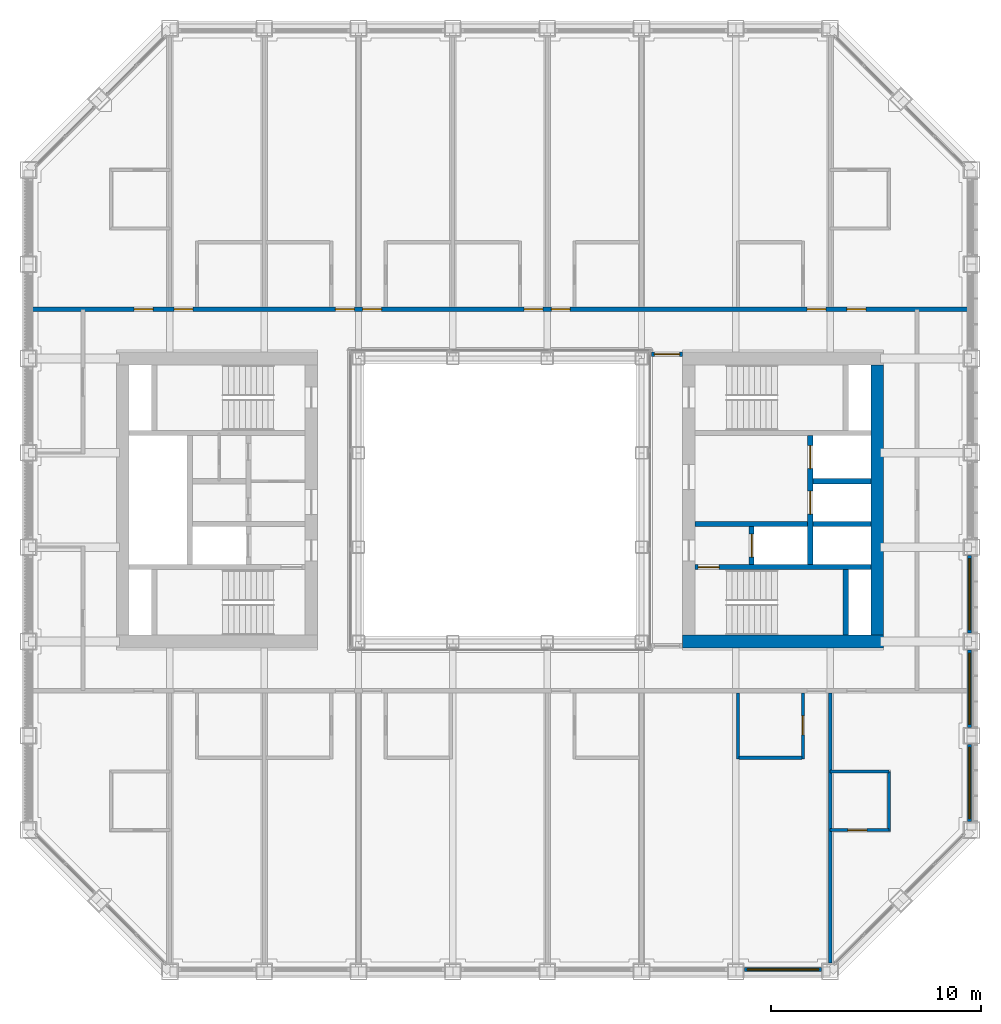
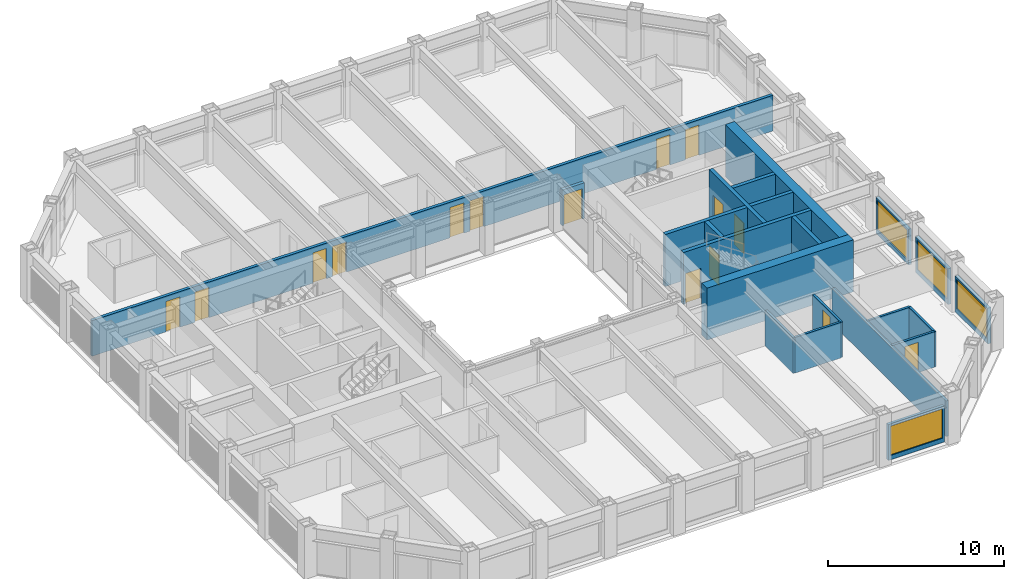
# One storey, part 12 of 17: 22 walls, 15 doors, 4 windows, 19 openings.
"""IFC4 building model written with IfcOpenShell, lengths in metres."""

from ifc_helpers import new_model, si_unit, direction, frame, frame_2d, origin, place, context, subcontext, project, spatial, rectangle, extrude, material, layer, layer_set, type_object, element, fill, save


model = new_model("IFC4")

# Units and contexts
model_context = context("Model", 3, precision=1e-05, world=origin(), true_north=direction((0.0, 1.0)))
body_context = subcontext(model_context, "Body", "Model", "MODEL_VIEW")
ifc_project = project(units=[si_unit("LENGTHUNIT", "METRE"), si_unit("AREAUNIT", "SQUARE_METRE"), si_unit("VOLUMEUNIT", "CUBIC_METRE"), si_unit("PLANEANGLEUNIT", "RADIAN"), si_unit("MASSUNIT", "GRAM", prefix="KILO")], contexts=[model_context])

# Site, building, storey
site_placement = place(None, origin())
site = spatial("IfcSite", under=ifc_project, at=site_placement, CompositionType="ELEMENT")
building_placement = place(site_placement, origin())
building = spatial("IfcBuilding", under=site, at=building_placement, Name="Msasa Ring Tower", CompositionType="ELEMENT")
storey_placement = place(building_placement, frame((0.0, 0.0, 143.60009765625)))
storey = spatial("IfcBuildingStorey", under=building, at=storey_placement, Name="L37", CompositionType="ELEMENT", Elevation=143.60009765625)

# Walls
ifc_material_1 = material(Name="Concrete C60/75", Category="concrete")
ifc_layer_1 = layer(ifc_material_1, 0.60009765625)
ifc_layer_set_1 = layer_set([ifc_layer_1], Name="CW2 CORE WALL 600")
wall_type_1 = type_object("IfcWallType", Name="CW2 CORE WALL 600", PredefinedType="SHEAR", material=ifc_layer_set_1)
wall_1_placement = place(storey_placement, frame((8.699951171875, -6.75, 0.0), z_axis=(0.0, 0.0, 1.0), x_axis=(1.0, 0.0, 0.0)))
element("IfcWall", 1, at=wall_1_placement, inside=storey, type_object=wall_type_1, Name="E core wall S L37", PredefinedType="SHEAR", context=body_context, shape_type="SweptSolid", body=[
    extrude(rectangle(XDim=9.60009765625, YDim=0.60009765625, at=frame_2d((4.800048828125, 0.0))), origin(), (0.0, 0.0, 1.0), 3.599853515625),
])
wall_2_placement = place(storey_placement, frame((18.0, -6.449951171875, 0.0), z_axis=(0.0, 0.0, 1.0), x_axis=(0.0, 1.0, 0.0)))
element("IfcWall", 2, at=wall_2_placement, inside=storey, type_object=wall_type_1, Name="E core wall E L37", PredefinedType="SHEAR", context=body_context, shape_type="SweptSolid", body=[
    extrude(rectangle(XDim=12.89990234375, YDim=0.60009765625, at=frame_2d((6.449951171875, 0.0))), origin(), (0.0, 0.0, 1.0), 3.599853515625),
])

# Wall, opening, door
ifc_material_2 = material(Name="Concrete C60/75", Category="concrete")
ifc_layer_2 = layer(ifc_material_2, 0.25)
ifc_layer_set_2 = layer_set([ifc_layer_2], Name="CW4 CORE INNER WALL 250")
wall_type_2 = type_object("IfcWallType", Name="CW4 CORE INNER WALL 250", PredefinedType="SHEAR", material=ifc_layer_set_2)
wall_3_placement = place(storey_placement, frame((9.300048828125, -3.199951171875, 0.0), z_axis=(0.0, 0.0, 1.0), x_axis=(1.0, 0.0, 0.0)))
wall_3 = element("IfcWall", 3, at=wall_3_placement, inside=storey, type_object=wall_type_2, Name="E core wall STAIRA L37", PredefinedType="SHEAR", context=body_context, shape_type="SweptSolid", body=[
    extrude(rectangle(XDim=8.39990234375, YDim=0.25, at=frame_2d((4.199951171875, 0.0))), origin(), (0.0, 0.0, 1.0), 3.599853515625),
])
opening_1_placement = place(wall_3_placement, frame((0.14990234375, 0.0, 0.0)))
opening_1 = element("IfcOpeningElement", 4, at=opening_1_placement, cuts=wall_3, Name="Opening HC-031", PredefinedType="OPENING", context=body_context, shape_type="SweptSolid", body=[
    extrude(rectangle(XDim=1.0, YDim=2.10009765625, at=frame_2d((0.5, 1.050048828125))), frame((0.0, 0.135009765625, 0.0), z_axis=(0.0, -1.0, 0.0), x_axis=(1.0, 0.0, 0.0)), (0.0, 0.0, 1.0), 0.27001953125),
])
ifc_material_3 = material(Name="Timber door leaf in a steel frame", Category="steel")
door_type_1 = type_object("IfcDoorType", Name="D6 STAIR DOOR 1000x2100", OperationType="SINGLE_SWING_LEFT", PredefinedType="DOOR", material=ifc_material_3)
door_1_placement = place(opening_1_placement, origin())
door_1 = element("IfcDoor", 5, at=door_1_placement, inside=storey, type_object=door_type_1, Name="Door L37-ESTA", OperationType="SINGLE_SWING_LEFT", OverallHeight=2.10009765625, OverallWidth=1.0, PredefinedType="DOOR", context=body_context, shape_type="SweptSolid", body=[
    extrude(rectangle(XDim=1.0, YDim=2.10009765625, at=frame_2d((0.5, 1.050048828125))), frame((0.0, 0.02490234375, 0.0), z_axis=(0.0, -1.0, 0.0), x_axis=(1.0, 0.0, 0.0)), (0.0, 0.0, 1.0), 0.050048828125),
])
fill(opening_1, door_1)

# Walls
wall_4_placement = place(storey_placement, frame((16.5, -6.449951171875, 0.0), z_axis=(0.0, 0.0, 1.0), x_axis=(0.0, 1.0, 0.0)))
element("IfcWall", 6, at=wall_4_placement, inside=storey, type_object=wall_type_2, Name="E core wall RISERA L37", PredefinedType="SHEAR", context=body_context, shape_type="SweptSolid", body=[
    extrude(rectangle(XDim=3.125, YDim=0.25, at=frame_2d((1.5625, 0.0))), origin(), (0.0, 0.0, 1.0), 3.599853515625),
])
wall_5_placement = place(storey_placement, frame((9.300048828125, -1.14990234375, 0.0), z_axis=(0.0, 0.0, 1.0), x_axis=(1.0, 0.0, 0.0)))
element("IfcWall", 7, at=wall_5_placement, inside=storey, type_object=wall_type_2, Name="E core wall FFL L37", PredefinedType="SHEAR", context=body_context, shape_type="SweptSolid", body=[
    extrude(rectangle(XDim=5.375, YDim=0.25, at=frame_2d((2.6875, 0.0))), origin(), (0.0, 0.0, 1.0), 3.599853515625),
])

# Wall, opening, door
wall_6_placement = place(storey_placement, frame((12.0, -3.074951171875, 0.0), z_axis=(0.0, 0.0, 1.0), x_axis=(0.0, 1.0, 0.0)))
wall_6 = element("IfcWall", 8, at=wall_6_placement, inside=storey, type_object=wall_type_2, Name="E core wall LOBBY L37", PredefinedType="SHEAR", context=body_context, shape_type="SweptSolid", body=[
    extrude(rectangle(XDim=1.800048828125, YDim=0.25, at=frame_2d((0.89990234375, 0.0))), origin(), (0.0, 0.0, 1.0), 3.599853515625),
])
opening_2_placement = place(wall_6_placement, frame((0.35009765625, 0.0, 0.0)))
opening_2 = element("IfcOpeningElement", 9, at=opening_2_placement, cuts=wall_6, Name="Opening LD1", PredefinedType="OPENING", context=body_context, shape_type="SweptSolid", body=[
    extrude(rectangle(XDim=1.10009765625, YDim=2.10009765625, at=frame_2d((0.550048828125, 1.050048828125))), frame((0.0, 0.135009765625, 0.0), z_axis=(0.0, -1.0, 0.0), x_axis=(1.0, 0.0, 0.0)), (0.0, 0.0, 1.0), 0.27001953125),
])
ifc_material_4 = material(Name="Stainless steel lift landing door", Category="steel")
door_type_2 = type_object("IfcDoorType", Name="LD1 LIFT LANDING DOOR 1100x2100", OperationType="DOUBLE_DOOR_SLIDING", PredefinedType="DOOR", material=ifc_material_4)
door_2_placement = place(opening_2_placement, origin())
door_2 = element("IfcDoor", 10, at=door_2_placement, inside=storey, type_object=door_type_2, Name="Lift landing door FL-E L37", OperationType="DOUBLE_DOOR_SLIDING", OverallHeight=2.10009765625, OverallWidth=1.10009765625, PredefinedType="DOOR", context=body_context, shape_type="SweptSolid", body=[
    extrude(rectangle(XDim=1.10009765625, YDim=2.10009765625, at=frame_2d((0.550048828125, 1.050048828125))), frame((0.0, 0.02490234375, 0.0), z_axis=(0.0, -1.0, 0.0), x_axis=(1.0, 0.0, 0.0)), (0.0, 0.0, 1.0), 0.050048828125),
])
fill(opening_2, door_2)

# Wall, openings, doors
wall_7_placement = place(storey_placement, frame((14.800048828125, -3.074951171875, 0.0), z_axis=(0.0, 0.0, 1.0), x_axis=(0.0, 1.0, 0.0)))
wall_7 = element("IfcWall", 11, at=wall_7_placement, inside=storey, type_object=wall_type_2, Name="E core wall SHAFT L37", PredefinedType="SHEAR", context=body_context, shape_type="SweptSolid", body=[
    extrude(rectangle(XDim=6.14990234375, YDim=0.25, at=frame_2d((3.074951171875, 0.0))), origin(), (0.0, 0.0, 1.0), 3.599853515625),
])
opening_3_placement = place(wall_7_placement, frame((2.39990234375, 0.0, 0.0)))
opening_3 = element("IfcOpeningElement", 12, at=opening_3_placement, cuts=wall_7, Name="Opening LD1", PredefinedType="OPENING", context=body_context, shape_type="SweptSolid", body=[
    extrude(rectangle(XDim=1.10009765625, YDim=2.10009765625, at=frame_2d((0.550048828125, 1.050048828125))), frame((0.0, 0.135009765625, 0.0), z_axis=(0.0, -1.0, 0.0), x_axis=(1.0, 0.0, 0.0)), (0.0, 0.0, 1.0), 0.27001953125),
])
opening_4_placement = place(wall_7_placement, frame((4.574951171875, 0.0, 0.0)))
opening_4 = element("IfcOpeningElement", 13, at=opening_4_placement, cuts=wall_7, Name="Opening LD1", PredefinedType="OPENING", context=body_context, shape_type="SweptSolid", body=[
    extrude(rectangle(XDim=1.10009765625, YDim=2.10009765625, at=frame_2d((0.550048828125, 1.050048828125))), frame((0.0, 0.135009765625, 0.0), z_axis=(0.0, -1.0, 0.0), x_axis=(1.0, 0.0, 0.0)), (0.0, 0.0, 1.0), 0.27001953125),
])
door_3_placement = place(opening_3_placement, origin())
door_3 = element("IfcDoor", 14, at=door_3_placement, inside=storey, type_object=door_type_2, Name="Lift landing door PL-H1 L37", OperationType="DOUBLE_DOOR_SLIDING", OverallHeight=2.10009765625, OverallWidth=1.10009765625, PredefinedType="DOOR", context=body_context, shape_type="SweptSolid", body=[
    extrude(rectangle(XDim=1.10009765625, YDim=2.10009765625, at=frame_2d((0.550048828125, 1.050048828125))), frame((0.0, 0.02490234375, 0.0), z_axis=(0.0, -1.0, 0.0), x_axis=(1.0, 0.0, 0.0)), (0.0, 0.0, 1.0), 0.050048828125),
])
fill(opening_3, door_3)
door_4_placement = place(opening_4_placement, origin())
door_4 = element("IfcDoor", 15, at=door_4_placement, inside=storey, type_object=door_type_2, Name="Lift landing door PL-H2 L37", OperationType="DOUBLE_DOOR_SLIDING", OverallHeight=2.10009765625, OverallWidth=1.10009765625, PredefinedType="DOOR", context=body_context, shape_type="SweptSolid", body=[
    extrude(rectangle(XDim=1.10009765625, YDim=2.10009765625, at=frame_2d((0.550048828125, 1.050048828125))), frame((0.0, 0.02490234375, 0.0), z_axis=(0.0, -1.0, 0.0), x_axis=(1.0, 0.0, 0.0)), (0.0, 0.0, 1.0), 0.050048828125),
])
fill(opening_4, door_4)

# Walls
for number, where, z_axis, x_axis, name in (
    (16, (14.925048828125, -1.14990234375, 0.0), (0.0, 0.0, 1.0), (1.0, 0.0, 0.0), "E core wall HSEP L37"),
    (17, (14.925048828125, 0.89990234375, 0.0), (0.0, 0.0, 1.0), (1.0, 0.0, 0.0), "E core wall HLIFT L37"),
):
    element("IfcWall", number, at=place(storey_placement, frame(where, z_axis=z_axis, x_axis=x_axis)), inside=storey, type_object=wall_type_2, Name=name, PredefinedType="SHEAR", context=body_context, shape_type="SweptSolid", body=[
        extrude(rectangle(XDim=2.77490234375, YDim=0.25, at=frame_2d((1.387451171875, 0.0))), origin(), (0.0, 0.0, 1.0), 3.599853515625),
    ])

# Wall, opening, window
ifc_material_5 = material(Name="Terracotta rainscreen on blockwork", Category="masonry")
ifc_layer_3 = layer(ifc_material_5, 0.199951171875)
ifc_layer_set_3 = layer_set([ifc_layer_3], Name="FW1 TERRACOTTA-LINED INFILL BAY WALL 200")
wall_type_3 = type_object("IfcWallType", Name="FW1 TERRACOTTA-LINED INFILL BAY WALL 200", PredefinedType="SOLIDWALL", material=ifc_layer_set_3)
wall_8_placement = place(storey_placement, frame((11.655029296875, -22.39990234375, 0.0), z_axis=(0.0, 0.0, 1.0), x_axis=(1.0, 0.0, 0.0)))
wall_8 = element("IfcWall", 18, at=wall_8_placement, inside=storey, type_object=wall_type_3, Name="Infill bay wall S L37 06", PredefinedType="SOLIDWALL", context=body_context, shape_type="SweptSolid", body=[
    extrude(rectangle(XDim=3.68994140625, YDim=0.199951171875, at=frame_2d((1.844970703125, 0.0))), origin(), (0.0, 0.0, 1.0), 2.47900390625),
])
opening_5_placement = place(wall_8_placement, frame((0.14501953125, 0.0, 0.300048828125)))
opening_5 = element("IfcOpeningElement", 19, at=opening_5_placement, cuts=wall_8, Name="Opening WN2", PredefinedType="OPENING", context=body_context, shape_type="SweptSolid", body=[
    extrude(rectangle(XDim=3.39990234375, YDim=2.029052734375, at=frame_2d((1.699951171875, 1.0146484375))), frame((0.0, 0.10986328125, 0.0), z_axis=(0.0, -1.0, 0.0), x_axis=(1.0, 0.0, 0.0)), (0.0, 0.0, 1.0), 0.219970703125),
])
ifc_material_6 = material(Name="Aluminium frame with clear glass", Category="aluminium")
window_type = type_object("IfcWindowType", Name="WN2 GUEST ROOM WINDOW 3400x2029", PartitioningType="SINGLE_PANEL", PredefinedType="WINDOW", material=ifc_material_6)
window_1_placement = place(opening_5_placement, origin())
window_1 = element("IfcWindow", 20, at=window_1_placement, inside=storey, type_object=window_type, Name="Window S L37 06", OverallHeight=2.029052734375, OverallWidth=3.39990234375, PartitioningType="SINGLE_PANEL", PredefinedType="WINDOW", context=body_context, shape_type="SweptSolid", body=[
    extrude(rectangle(XDim=3.39990234375, YDim=2.029052734375, at=frame_2d((1.699951171875, 1.0146484375))), frame((0.0, 0.030029296875, 0.0), z_axis=(0.0, -1.0, 0.0), x_axis=(1.0, 0.0, 0.0)), (0.0, 0.0, 1.0), 0.06005859375),
])
fill(opening_5, window_1)

wall_9_placement = place(storey_placement, frame((22.39990234375, -15.344970703125, 0.0), z_axis=(0.0, 0.0, 1.0), x_axis=(0.0, 1.0, 0.0)))
wall_9 = element("IfcWall", 21, at=wall_9_placement, inside=storey, type_object=wall_type_3, Name="Infill bay wall E L37 09", PredefinedType="SOLIDWALL", context=body_context, shape_type="SweptSolid", body=[
    extrude(rectangle(XDim=3.68994140625, YDim=0.199951171875, at=frame_2d((1.844970703125, 0.0))), origin(), (0.0, 0.0, 1.0), 2.47900390625),
])
opening_6_placement = place(wall_9_placement, frame((0.14501953125, 0.0, 0.300048828125)))
opening_6 = element("IfcOpeningElement", 22, at=opening_6_placement, cuts=wall_9, Name="Opening WN2", PredefinedType="OPENING", context=body_context, shape_type="SweptSolid", body=[
    extrude(rectangle(XDim=3.39990234375, YDim=2.029052734375, at=frame_2d((1.699951171875, 1.0146484375))), frame((0.0, 0.10986328125, 0.0), z_axis=(0.0, -1.0, 0.0), x_axis=(1.0, 0.0, 0.0)), (0.0, 0.0, 1.0), 0.219970703125),
])
window_2_placement = place(opening_6_placement, origin())
window_2 = element("IfcWindow", 23, at=window_2_placement, inside=storey, type_object=window_type, Name="Window E L37 09", OverallHeight=2.029052734375, OverallWidth=3.39990234375, PartitioningType="SINGLE_PANEL", PredefinedType="WINDOW", context=body_context, shape_type="SweptSolid", body=[
    extrude(rectangle(XDim=3.39990234375, YDim=2.029052734375, at=frame_2d((1.699951171875, 1.0146484375))), frame((0.0, 0.030029296875, 0.0), z_axis=(0.0, -1.0, 0.0), x_axis=(1.0, 0.0, 0.0)), (0.0, 0.0, 1.0), 0.06005859375),
])
fill(opening_6, window_2)

wall_10_placement = place(storey_placement, frame((22.39990234375, -10.844970703125, 0.0), z_axis=(0.0, 0.0, 1.0), x_axis=(0.0, 1.0, 0.0)))
wall_10 = element("IfcWall", 24, at=wall_10_placement, inside=storey, type_object=wall_type_3, Name="Infill bay wall E L37 10", PredefinedType="SOLIDWALL", context=body_context, shape_type="SweptSolid", body=[
    extrude(rectangle(XDim=3.68994140625, YDim=0.199951171875, at=frame_2d((1.844970703125, 0.0))), origin(), (0.0, 0.0, 1.0), 2.47900390625),
])
opening_7_placement = place(wall_10_placement, frame((0.14501953125, 0.0, 0.300048828125)))
opening_7 = element("IfcOpeningElement", 25, at=opening_7_placement, cuts=wall_10, Name="Opening WN2", PredefinedType="OPENING", context=body_context, shape_type="SweptSolid", body=[
    extrude(rectangle(XDim=3.39990234375, YDim=2.029052734375, at=frame_2d((1.699951171875, 1.0146484375))), frame((0.0, 0.10986328125, 0.0), z_axis=(0.0, -1.0, 0.0), x_axis=(1.0, 0.0, 0.0)), (0.0, 0.0, 1.0), 0.219970703125),
])
window_3_placement = place(opening_7_placement, origin())
window_3 = element("IfcWindow", 26, at=window_3_placement, inside=storey, type_object=window_type, Name="Window E L37 10", OverallHeight=2.029052734375, OverallWidth=3.39990234375, PartitioningType="SINGLE_PANEL", PredefinedType="WINDOW", context=body_context, shape_type="SweptSolid", body=[
    extrude(rectangle(XDim=3.39990234375, YDim=2.029052734375, at=frame_2d((1.699951171875, 1.0146484375))), frame((0.0, 0.030029296875, 0.0), z_axis=(0.0, -1.0, 0.0), x_axis=(1.0, 0.0, 0.0)), (0.0, 0.0, 1.0), 0.06005859375),
])
fill(opening_7, window_3)

wall_11_placement = place(storey_placement, frame((22.39990234375, -6.344970703125, 0.0), z_axis=(0.0, 0.0, 1.0), x_axis=(0.0, 1.0, 0.0)))
wall_11 = element("IfcWall", 27, at=wall_11_placement, inside=storey, type_object=wall_type_3, Name="Infill bay wall E L37 11", PredefinedType="SOLIDWALL", context=body_context, shape_type="SweptSolid", body=[
    extrude(rectangle(XDim=3.68994140625, YDim=0.199951171875, at=frame_2d((1.844970703125, 0.0))), origin(), (0.0, 0.0, 1.0), 2.47900390625),
])
opening_8_placement = place(wall_11_placement, frame((0.14501953125, 0.0, 0.300048828125)))
opening_8 = element("IfcOpeningElement", 28, at=opening_8_placement, cuts=wall_11, Name="Opening WN2", PredefinedType="OPENING", context=body_context, shape_type="SweptSolid", body=[
    extrude(rectangle(XDim=3.39990234375, YDim=2.029052734375, at=frame_2d((1.699951171875, 1.0146484375))), frame((0.0, 0.10986328125, 0.0), z_axis=(0.0, -1.0, 0.0), x_axis=(1.0, 0.0, 0.0)), (0.0, 0.0, 1.0), 0.219970703125),
])
window_4_placement = place(opening_8_placement, origin())
window_4 = element("IfcWindow", 29, at=window_4_placement, inside=storey, type_object=window_type, Name="Window E L37 11", OverallHeight=2.029052734375, OverallWidth=3.39990234375, PartitioningType="SINGLE_PANEL", PredefinedType="WINDOW", context=body_context, shape_type="SweptSolid", body=[
    extrude(rectangle(XDim=3.39990234375, YDim=2.029052734375, at=frame_2d((1.699951171875, 1.0146484375))), frame((0.0, 0.030029296875, 0.0), z_axis=(0.0, -1.0, 0.0), x_axis=(1.0, 0.0, 0.0)), (0.0, 0.0, 1.0), 0.06005859375),
])
fill(opening_8, window_4)

# Wall, opening, door
ifc_material_7 = material(Name="Concrete blockwork", Category="masonry")
ifc_layer_4 = layer(ifc_material_7, 0.199951171875)
ifc_layer_set_4 = layer_set([ifc_layer_4], Name="PT1 CORRIDOR WALL 200")
wall_type_4 = type_object("IfcWallType", Name="PT1 CORRIDOR WALL 200", PredefinedType="PARTITIONING", material=ifc_layer_set_4)
wall_12_placement = place(storey_placement, frame((7.22998046875, 6.949951171875, 0.0), z_axis=(0.0, 0.0, 1.0), x_axis=(1.0, 0.0, 0.0)))
wall_12 = element("IfcWall", 30, at=wall_12_placement, inside=storey, type_object=wall_type_4, Name="Corridor wall L37-SDEN", PredefinedType="PARTITIONING", context=body_context, shape_type="SweptSolid", body=[
    extrude(rectangle(XDim=1.469970703125, YDim=0.199951171875, at=frame_2d((0.73486328125, 0.0))), origin(), (0.0, 0.0, 1.0), 2.473388671875),
])
opening_9_placement = place(wall_12_placement, frame((0.135009765625, 0.0, 0.0)))
opening_9 = element("IfcOpeningElement", 31, at=opening_9_placement, cuts=wall_12, Name="Opening HC-017", PredefinedType="OPENING", context=body_context, shape_type="SweptSolid", body=[
    extrude(rectangle(XDim=1.199951171875, YDim=2.10009765625, at=frame_2d((0.60009765625, 1.050048828125))), frame((0.0, 0.10986328125, 0.0), z_axis=(0.0, -1.0, 0.0), x_axis=(1.0, 0.0, 0.0)), (0.0, 0.0, 1.0), 0.219970703125),
])
ifc_material_8 = material(Name="Timber door leaf in a steel frame", Category="steel")
door_type_3 = type_object("IfcDoorType", Name="D25 CORRIDOR PAIR OF SMOKE DOORS 1200x2100", OperationType="DOUBLE_DOOR_DOUBLE_SWING", PredefinedType="DOOR", material=ifc_material_8)
door_5_placement = place(opening_9_placement, origin())
door_5 = element("IfcDoor", 32, at=door_5_placement, inside=storey, type_object=door_type_3, Name="Door L37-SDEN", OperationType="DOUBLE_DOOR_DOUBLE_SWING", OverallHeight=2.10009765625, OverallWidth=1.199951171875, PredefinedType="DOOR", context=body_context, shape_type="SweptSolid", body=[
    extrude(rectangle(XDim=1.199951171875, YDim=2.10009765625, at=frame_2d((0.60009765625, 1.050048828125))), frame((0.0, 0.02490234375, 0.0), z_axis=(0.0, -1.0, 0.0), x_axis=(1.0, 0.0, 0.0)), (0.0, 0.0, 1.0), 0.050048828125),
])
fill(opening_9, door_5)

# Wall, openings, doors
wall_13_placement = place(storey_placement, frame((-22.300048828125, 9.10009765625, 0.0), z_axis=(0.0, 0.0, 1.0), x_axis=(1.0, 0.0, 0.0)))
wall_13 = element("IfcWall", 33, at=wall_13_placement, inside=storey, type_object=wall_type_4, Name="Corridor wall L37-CORRN0", PredefinedType="PARTITIONING", context=body_context, shape_type="SweptSolid", body=[
    extrude(rectangle(XDim=44.60009765625, YDim=0.199951171875, at=frame_2d((22.300048828125, 0.0))), origin(), (0.0, 0.0, 1.0), 2.473388671875),
])
opening_10_placement = place(wall_13_placement, frame((6.75, 0.0, 0.0)))
opening_10 = element("IfcOpeningElement", 34, at=opening_10_placement, cuts=wall_13, Name="Opening HC-010", PredefinedType="OPENING", context=body_context, shape_type="SweptSolid", body=[
    extrude(rectangle(XDim=0.89990234375, YDim=2.10009765625, at=frame_2d((0.449951171875, 1.050048828125))), frame((0.0, 0.10986328125, 0.0), z_axis=(0.0, -1.0, 0.0), x_axis=(1.0, 0.0, 0.0)), (0.0, 0.0, 1.0), 0.219970703125),
])
opening_11_placement = place(wall_13_placement, frame((14.449951171875, 0.0, 0.0)))
opening_11 = element("IfcOpeningElement", 35, at=opening_11_placement, cuts=wall_13, Name="Opening HC-011", PredefinedType="OPENING", context=body_context, shape_type="SweptSolid", body=[
    extrude(rectangle(XDim=0.89990234375, YDim=2.10009765625, at=frame_2d((0.449951171875, 1.050048828125))), frame((0.0, 0.10986328125, 0.0), z_axis=(0.0, -1.0, 0.0), x_axis=(1.0, 0.0, 0.0)), (0.0, 0.0, 1.0), 0.219970703125),
])
opening_12_placement = place(wall_13_placement, frame((15.75, 0.0, 0.0)))
opening_12 = element("IfcOpeningElement", 36, at=opening_12_placement, cuts=wall_13, Name="Opening HC-012", PredefinedType="OPENING", context=body_context, shape_type="SweptSolid", body=[
    extrude(rectangle(XDim=0.89990234375, YDim=2.10009765625, at=frame_2d((0.449951171875, 1.050048828125))), frame((0.0, 0.10986328125, 0.0), z_axis=(0.0, -1.0, 0.0), x_axis=(1.0, 0.0, 0.0)), (0.0, 0.0, 1.0), 0.219970703125),
])
opening_13_placement = place(wall_13_placement, frame((23.449951171875, 0.0, 0.0)))
opening_13 = element("IfcOpeningElement", 37, at=opening_13_placement, cuts=wall_13, Name="Opening HC-013", PredefinedType="OPENING", context=body_context, shape_type="SweptSolid", body=[
    extrude(rectangle(XDim=0.89990234375, YDim=2.10009765625, at=frame_2d((0.449951171875, 1.050048828125))), frame((0.0, 0.10986328125, 0.0), z_axis=(0.0, -1.0, 0.0), x_axis=(1.0, 0.0, 0.0)), (0.0, 0.0, 1.0), 0.219970703125),
])
opening_14_placement = place(wall_13_placement, frame((24.75, 0.0, 0.0)))
opening_14 = element("IfcOpeningElement", 38, at=opening_14_placement, cuts=wall_13, Name="Opening HC-014", PredefinedType="OPENING", context=body_context, shape_type="SweptSolid", body=[
    extrude(rectangle(XDim=0.89990234375, YDim=2.10009765625, at=frame_2d((0.449951171875, 1.050048828125))), frame((0.0, 0.10986328125, 0.0), z_axis=(0.0, -1.0, 0.0), x_axis=(1.0, 0.0, 0.0)), (0.0, 0.0, 1.0), 0.219970703125),
])
opening_15_placement = place(wall_13_placement, frame((36.949951171875, 0.0, 0.0)))
opening_15 = element("IfcOpeningElement", 39, at=opening_15_placement, cuts=wall_13, Name="Opening HC-015", PredefinedType="OPENING", context=body_context, shape_type="SweptSolid", body=[
    extrude(rectangle(XDim=0.89990234375, YDim=2.10009765625, at=frame_2d((0.449951171875, 1.050048828125))), frame((0.0, 0.10986328125, 0.0), z_axis=(0.0, -1.0, 0.0), x_axis=(1.0, 0.0, 0.0)), (0.0, 0.0, 1.0), 0.219970703125),
])
opening_16_placement = place(wall_13_placement, frame((38.85009765625, 0.0, 0.0)))
opening_16 = element("IfcOpeningElement", 40, at=opening_16_placement, cuts=wall_13, Name="Opening HC-016", PredefinedType="OPENING", context=body_context, shape_type="SweptSolid", body=[
    extrude(rectangle(XDim=0.89990234375, YDim=2.10009765625, at=frame_2d((0.449951171875, 1.050048828125))), frame((0.0, 0.10986328125, 0.0), z_axis=(0.0, -1.0, 0.0), x_axis=(1.0, 0.0, 0.0)), (0.0, 0.0, 1.0), 0.219970703125),
])
opening_17_placement = place(wall_13_placement, frame((4.85009765625, 0.0, 0.0)))
opening_17 = element("IfcOpeningElement", 41, at=opening_17_placement, cuts=wall_13, Name="Opening HC-009", PredefinedType="OPENING", context=body_context, shape_type="SweptSolid", body=[
    extrude(rectangle(XDim=0.89990234375, YDim=2.10009765625, at=frame_2d((0.449951171875, 1.050048828125))), frame((0.0, 0.10986328125, 0.0), z_axis=(0.0, -1.0, 0.0), x_axis=(1.0, 0.0, 0.0)), (0.0, 0.0, 1.0), 0.219970703125),
])
ifc_material_9 = material(Name="Timber door leaf in a steel frame", Category="steel")
door_type_4 = type_object("IfcDoorType", Name="D1 SINGLE DOOR TO CORRIDOR 900x2100", OperationType="SINGLE_SWING_LEFT", PredefinedType="DOOR", material=ifc_material_9)
door_6_placement = place(opening_10_placement, origin())
door_6 = element("IfcDoor", 42, at=door_6_placement, inside=storey, type_object=door_type_4, Name="Door L37-GN00", OperationType="SINGLE_SWING_LEFT", OverallHeight=2.10009765625, OverallWidth=0.89990234375, PredefinedType="DOOR", context=body_context, shape_type="SweptSolid", body=[
    extrude(rectangle(XDim=0.89990234375, YDim=2.10009765625, at=frame_2d((0.449951171875, 1.050048828125))), frame((0.0, 0.02490234375, 0.0), z_axis=(0.0, -1.0, 0.0), x_axis=(1.0, 0.0, 0.0)), (0.0, 0.0, 1.0), 0.050048828125),
])
fill(opening_10, door_6)
door_7_placement = place(opening_11_placement, origin())
door_7 = element("IfcDoor", 43, at=door_7_placement, inside=storey, type_object=door_type_4, Name="Door L37-GN01", OperationType="SINGLE_SWING_LEFT", OverallHeight=2.10009765625, OverallWidth=0.89990234375, PredefinedType="DOOR", context=body_context, shape_type="SweptSolid", body=[
    extrude(rectangle(XDim=0.89990234375, YDim=2.10009765625, at=frame_2d((0.449951171875, 1.050048828125))), frame((0.0, 0.02490234375, 0.0), z_axis=(0.0, -1.0, 0.0), x_axis=(1.0, 0.0, 0.0)), (0.0, 0.0, 1.0), 0.050048828125),
])
fill(opening_11, door_7)
door_8_placement = place(opening_12_placement, origin())
door_8 = element("IfcDoor", 44, at=door_8_placement, inside=storey, type_object=door_type_4, Name="Door L37-GN02", OperationType="SINGLE_SWING_LEFT", OverallHeight=2.10009765625, OverallWidth=0.89990234375, PredefinedType="DOOR", context=body_context, shape_type="SweptSolid", body=[
    extrude(rectangle(XDim=0.89990234375, YDim=2.10009765625, at=frame_2d((0.449951171875, 1.050048828125))), frame((0.0, 0.02490234375, 0.0), z_axis=(0.0, -1.0, 0.0), x_axis=(1.0, 0.0, 0.0)), (0.0, 0.0, 1.0), 0.050048828125),
])
fill(opening_12, door_8)
door_9_placement = place(opening_13_placement, origin())
door_9 = element("IfcDoor", 45, at=door_9_placement, inside=storey, type_object=door_type_4, Name="Door L37-GN03", OperationType="SINGLE_SWING_RIGHT", OverallHeight=2.10009765625, OverallWidth=0.89990234375, PredefinedType="DOOR", context=body_context, shape_type="SweptSolid", body=[
    extrude(rectangle(XDim=0.89990234375, YDim=2.10009765625, at=frame_2d((0.449951171875, 1.050048828125))), frame((0.0, 0.02490234375, 0.0), z_axis=(0.0, -1.0, 0.0), x_axis=(1.0, 0.0, 0.0)), (0.0, 0.0, 1.0), 0.050048828125),
])
fill(opening_13, door_9)
door_10_placement = place(opening_14_placement, origin())
door_10 = element("IfcDoor", 46, at=door_10_placement, inside=storey, type_object=door_type_4, Name="Door L37-GN04", OperationType="SINGLE_SWING_RIGHT", OverallHeight=2.10009765625, OverallWidth=0.89990234375, PredefinedType="DOOR", context=body_context, shape_type="SweptSolid", body=[
    extrude(rectangle(XDim=0.89990234375, YDim=2.10009765625, at=frame_2d((0.449951171875, 1.050048828125))), frame((0.0, 0.02490234375, 0.0), z_axis=(0.0, -1.0, 0.0), x_axis=(1.0, 0.0, 0.0)), (0.0, 0.0, 1.0), 0.050048828125),
])
fill(opening_14, door_10)
door_11_placement = place(opening_15_placement, origin())
door_11 = element("IfcDoor", 47, at=door_11_placement, inside=storey, type_object=door_type_4, Name="Door L37-GN05", OperationType="SINGLE_SWING_RIGHT", OverallHeight=2.10009765625, OverallWidth=0.89990234375, PredefinedType="DOOR", context=body_context, shape_type="SweptSolid", body=[
    extrude(rectangle(XDim=0.89990234375, YDim=2.10009765625, at=frame_2d((0.449951171875, 1.050048828125))), frame((0.0, 0.02490234375, 0.0), z_axis=(0.0, -1.0, 0.0), x_axis=(1.0, 0.0, 0.0)), (0.0, 0.0, 1.0), 0.050048828125),
])
fill(opening_15, door_11)
ifc_material_10 = material(Name="Timber door leaf in a steel frame", Category="steel")
door_type_5 = type_object("IfcDoorType", Name="D2 ENTRANCE DOOR 900x2100", OperationType="SINGLE_SWING_LEFT", PredefinedType="DOOR", material=ifc_material_10)
door_12_placement = place(opening_16_placement, origin())
door_12 = element("IfcDoor", 48, at=door_12_placement, inside=storey, type_object=door_type_5, Name="Door L37-CSNE", OperationType="SINGLE_SWING_RIGHT", OverallHeight=2.10009765625, OverallWidth=0.89990234375, PredefinedType="DOOR", context=body_context, shape_type="SweptSolid", body=[
    extrude(rectangle(XDim=0.89990234375, YDim=2.10009765625, at=frame_2d((0.449951171875, 1.050048828125))), frame((0.0, 0.02490234375, 0.0), z_axis=(0.0, -1.0, 0.0), x_axis=(1.0, 0.0, 0.0)), (0.0, 0.0, 1.0), 0.050048828125),
])
fill(opening_16, door_12)
door_13_placement = place(opening_17_placement, origin())
door_13 = element("IfcDoor", 49, at=door_13_placement, inside=storey, type_object=door_type_5, Name="Door L37-CSNW", OperationType="SINGLE_SWING_LEFT", OverallHeight=2.10009765625, OverallWidth=0.89990234375, PredefinedType="DOOR", context=body_context, shape_type="SweptSolid", body=[
    extrude(rectangle(XDim=0.89990234375, YDim=2.10009765625, at=frame_2d((0.449951171875, 1.050048828125))), frame((0.0, 0.02490234375, 0.0), z_axis=(0.0, -1.0, 0.0), x_axis=(1.0, 0.0, 0.0)), (0.0, 0.0, 1.0), 0.050048828125),
])
fill(opening_17, door_13)

# Wall, opening, door
ifc_material_11 = material(Name="Moisture-resistant board on steel studs with a concealed cistern and pipe void, tiled", Category="steel")
ifc_layer_5 = layer(ifc_material_11, 0.14990234375)
ifc_layer_set_5 = layer_set([ifc_layer_5], Name="PT4 BATHROOM WET WALL 150")
wall_type_5 = type_object("IfcWallType", Name="PT4 BATHROOM WET WALL 150", PredefinedType="PARTITIONING", material=ifc_layer_set_5)
wall_14_placement = place(storey_placement, frame((14.449951171875, -12.35009765625, 0.0), z_axis=(0.0, 0.0, 1.0), x_axis=(0.0, 1.0, 0.0)))
wall_14 = element("IfcWall", 50, at=wall_14_placement, inside=storey, type_object=wall_type_5, Name="Partition L37-GS04BX", PredefinedType="PARTITIONING", context=body_context, shape_type="SweptSolid", body=[
    extrude(rectangle(XDim=3.150146484375, YDim=0.14990234375, at=frame_2d((1.5751953125, 0.0))), origin(), (0.0, 0.0, 1.0), 2.473388671875),
])
opening_18_placement = place(wall_14_placement, frame((1.14990234375, 0.0, 0.0)))
opening_18 = element("IfcOpeningElement", 51, at=opening_18_placement, cuts=wall_14, Name="Opening HC-045", PredefinedType="OPENING", context=body_context, shape_type="SweptSolid", body=[
    extrude(rectangle(XDim=0.89990234375, YDim=2.10009765625, at=frame_2d((0.449951171875, 1.050048828125))), frame((0.0, 0.0849609375, 0.0), z_axis=(0.0, -1.0, 0.0), x_axis=(1.0, 0.0, 0.0)), (0.0, 0.0, 1.0), 0.169921875),
])
ifc_material_12 = material(Name="Timber door leaf in a steel frame", Category="steel")
door_type_6 = type_object("IfcDoorType", Name="D3 BATHROOM DOOR 900x2100", OperationType="SINGLE_SWING_LEFT", PredefinedType="DOOR", material=ifc_material_12)
door_14_placement = place(opening_18_placement, origin())
door_14 = element("IfcDoor", 52, at=door_14_placement, inside=storey, type_object=door_type_6, Name="Door L37-GS04B", OperationType="SINGLE_SWING_LEFT", OverallHeight=2.10009765625, OverallWidth=0.89990234375, PredefinedType="DOOR", context=body_context, shape_type="SweptSolid", body=[
    extrude(rectangle(XDim=0.89990234375, YDim=2.10009765625, at=frame_2d((0.449951171875, 1.050048828125))), frame((0.0, 0.02490234375, 0.0), z_axis=(0.0, -1.0, 0.0), x_axis=(1.0, 0.0, 0.0)), (0.0, 0.0, 1.0), 0.050048828125),
])
fill(opening_18, door_14)

# Walls
wall_15_placement = place(storey_placement, frame((11.35009765625, -12.35009765625, 0.0), z_axis=(0.0, 0.0, 1.0), x_axis=(0.0, 1.0, 0.0)))
element("IfcWall", 53, at=wall_15_placement, inside=storey, type_object=wall_type_5, Name="Partition L37-GS04BF", PredefinedType="PARTITIONING", context=body_context, shape_type="SweptSolid", body=[
    extrude(rectangle(XDim=3.150146484375, YDim=0.14990234375, at=frame_2d((1.5751953125, 0.0))), origin(), (0.0, 0.0, 1.0), 2.473388671875),
])
wall_16_placement = place(storey_placement, frame((11.39990234375, -12.300048828125, 0.0), z_axis=(0.0, 0.0, 1.0), x_axis=(1.0, 0.0, 0.0)))
element("IfcWall", 54, at=wall_16_placement, inside=storey, type_object=wall_type_5, Name="Partition L37-GS04BY", PredefinedType="PARTITIONING", context=body_context, shape_type="SweptSolid", body=[
    extrude(rectangle(XDim=3.0, YDim=0.14990234375, at=frame_2d((1.5, 0.0))), origin(), (0.0, 0.0, 1.0), 2.473388671875),
])
wall_17_placement = place(storey_placement, frame((18.550048828125, -15.824951171875, 0.0), z_axis=(0.0, 0.0, 1.0), x_axis=(0.0, 1.0, 0.0)))
element("IfcWall", 55, at=wall_17_placement, inside=storey, type_object=wall_type_5, Name="Partition L37-CSSEBX", PredefinedType="PARTITIONING", context=body_context, shape_type="SweptSolid", body=[
    extrude(rectangle(XDim=2.875, YDim=0.14990234375, at=frame_2d((1.4375, 0.0))), origin(), (0.0, 0.0, 1.0), 2.473388671875),
])
wall_18_placement = place(storey_placement, frame((15.75, -12.949951171875, 0.0), z_axis=(0.0, 0.0, 1.0), x_axis=(1.0, 0.0, 0.0)))
element("IfcWall", 56, at=wall_18_placement, inside=storey, type_object=wall_type_5, Name="Partition L37-CSSEBY", PredefinedType="PARTITIONING", context=body_context, shape_type="SweptSolid", body=[
    extrude(rectangle(XDim=2.800048828125, YDim=0.14990234375, at=frame_2d((1.39990234375, 0.0))), origin(), (0.0, 0.0, 1.0), 2.473388671875),
])

# Wall, opening, door
wall_19_placement = place(storey_placement, frame((15.75, -15.75, 0.0), z_axis=(0.0, 0.0, 1.0), x_axis=(1.0, 0.0, 0.0)))
wall_19 = element("IfcWall", 57, at=wall_19_placement, inside=storey, type_object=wall_type_5, Name="Partition L37-CSSEBZ", PredefinedType="PARTITIONING", context=body_context, shape_type="SweptSolid", body=[
    extrude(rectangle(XDim=2.800048828125, YDim=0.14990234375, at=frame_2d((1.39990234375, 0.0))), origin(), (0.0, 0.0, 1.0), 2.473388671875),
])
opening_19_placement = place(wall_19_placement, frame((0.85009765625, 0.0, 0.0)))
opening_19 = element("IfcOpeningElement", 58, at=opening_19_placement, cuts=wall_19, Name="Opening HC-047", PredefinedType="OPENING", context=body_context, shape_type="SweptSolid", body=[
    extrude(rectangle(XDim=0.89990234375, YDim=2.10009765625, at=frame_2d((0.449951171875, 1.050048828125))), frame((0.0, 0.0849609375, 0.0), z_axis=(0.0, -1.0, 0.0), x_axis=(1.0, 0.0, 0.0)), (0.0, 0.0, 1.0), 0.169921875),
])
door_15_placement = place(opening_19_placement, origin())
door_15 = element("IfcDoor", 59, at=door_15_placement, inside=storey, type_object=door_type_6, Name="Door L37-CSSEB1", OperationType="SINGLE_SWING_LEFT", OverallHeight=2.10009765625, OverallWidth=0.89990234375, PredefinedType="DOOR", context=body_context, shape_type="SweptSolid", body=[
    extrude(rectangle(XDim=0.89990234375, YDim=2.10009765625, at=frame_2d((0.449951171875, 1.050048828125))), frame((0.0, 0.02490234375, 0.0), z_axis=(0.0, -1.0, 0.0), x_axis=(1.0, 0.0, 0.0)), (0.0, 0.0, 1.0), 0.050048828125),
])
fill(opening_19, door_15)

# Wall
ifc_material_13 = material(Name="Twin steel studs, two layers of acoustic board each face, mineral wool", Category="steel")
ifc_layer_6 = layer(ifc_material_13, 0.175048828125)
ifc_layer_set_6 = layer_set([ifc_layer_6], Name="PT5 GUEST ROOM SEPARATING WALL 175")
wall_type_6 = type_object("IfcWallType", Name="PT5 GUEST ROOM SEPARATING WALL 175", PredefinedType="PARTITIONING", material=ifc_layer_set_6)
wall_20_placement = place(storey_placement, frame((15.75, -22.10009765625, 0.0), z_axis=(0.0, 0.0, 1.0), x_axis=(0.0, 1.0, 0.0)))
element("IfcWall", 60, at=wall_20_placement, inside=storey, type_object=wall_type_6, Name="Partition L37-PWS+15.75", PredefinedType="PARTITIONING", context=body_context, shape_type="SweptSolid", body=[
    extrude(rectangle(XDim=12.900146484375, YDim=0.175048828125, at=frame_2d((6.4501953125, 0.0))), origin(), (0.0, 0.0, 1.0), 2.473388671875),
])

save(model, "model.ifc")
